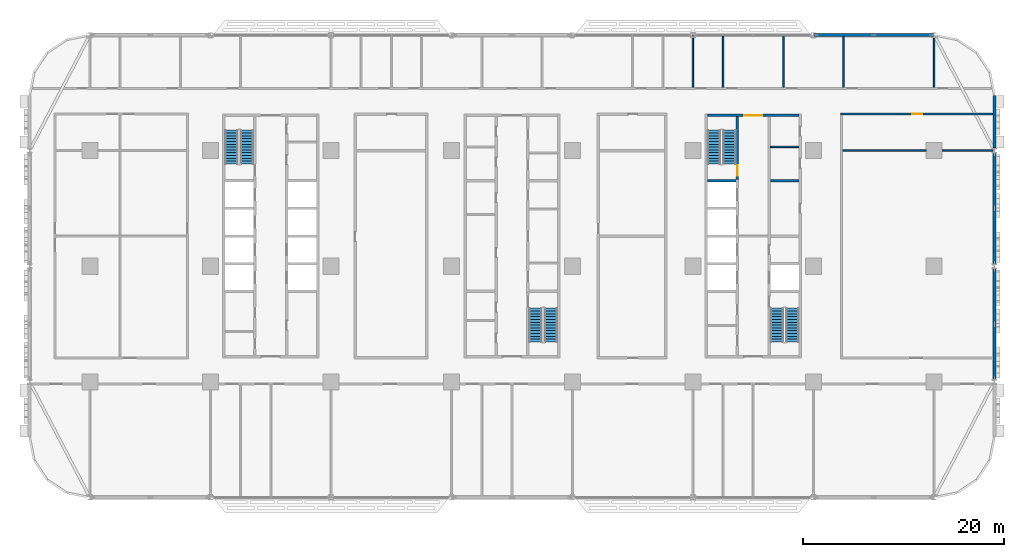
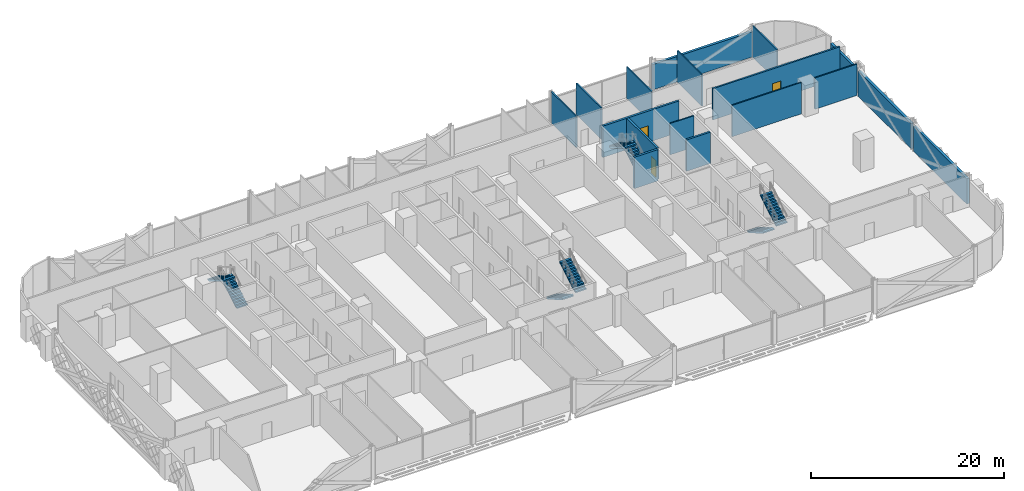
# One storey, part 15 of 27: 17 walls, 8 stair flights, 3 doors, 3 openings, 4 elements without a shape of their own.
"""IFC4 building model written with IfcOpenShell, lengths in metres."""

from ifc_helpers import new_model, si_unit, direction, frame, frame_2d, origin, place, context, subcontext, project, spatial, polyline, rectangle, outline, extrude, material, layer, layer_set, type_object, element, fill, aggregate, save


model = new_model("IFC4")

# Units and contexts
model_context = context("Model", 3, precision=1e-05, world=origin(), true_north=direction((0.0, 1.0)))
body_context = subcontext(model_context, "Body", "Model", "MODEL_VIEW")
ifc_project = project(units=[si_unit("LENGTHUNIT", "METRE"), si_unit("AREAUNIT", "SQUARE_METRE"), si_unit("VOLUMEUNIT", "CUBIC_METRE"), si_unit("PLANEANGLEUNIT", "RADIAN"), si_unit("MASSUNIT", "GRAM", prefix="KILO")], contexts=[model_context])

# Site, building, storey
site_placement = place(None, origin())
site = spatial("IfcSite", under=ifc_project, at=site_placement, CompositionType="ELEMENT")
building_placement = place(site_placement, origin())
building = spatial("IfcBuilding", under=site, at=building_placement, Name="Mahtab Terrace Research Tower", CompositionType="ELEMENT")
storey_placement = place(building_placement, frame((0.0, 0.0, 28.699951171875)))
storey = spatial("IfcBuildingStorey", under=building, at=storey_placement, Name="L06", CompositionType="ELEMENT", Elevation=28.699951171875)

# Wall
ifc_material_1 = material(Name="Gypsum board partition")
ifc_layer_1 = layer(ifc_material_1, 0.14990234375)
ifc_layer_set_1 = layer_set([ifc_layer_1], Name="Core partition 150")
wall_type_1 = type_object("IfcWallType", Name="Core partition 150", PredefinedType="PARTITIONING", material=ifc_layer_set_1)
wall_1_placement = place(storey_placement, frame((25.699951171875, 11.875, 0.0), z_axis=(0.0, 0.0, 1.0), x_axis=(1.0, 0.0, 0.0)))
element("IfcWall", 1, at=wall_1_placement, inside=storey, type_object=wall_type_1, Name="Core wall C pEN888", PredefinedType="PARTITIONING", context=body_context, shape_type="SweptSolid", body=[
    extrude(rectangle(XDim=2.85009765625, YDim=0.14990234375, at=frame_2d((1.425048828125, 0.0))), origin(), (0.0, 0.0, 1.0), 3.9599609375),
])

# Wall, opening, door
ifc_material_2 = material(Name="Concrete C70/85", Category="concrete")
ifc_layer_2 = layer(ifc_material_2, 0.25)
ifc_layer_set_2 = layer_set([ifc_layer_2], Name="Core wall 250")
wall_type_2 = type_object("IfcWallType", Name="Core wall 250", PredefinedType="SOLIDWALL", material=ifc_layer_set_2)
wall_2_placement = place(storey_placement, frame((19.449951171875, 15.0, 0.0), z_axis=(0.0, 0.0, 1.0), x_axis=(1.0, 0.0, 0.0)))
wall_2 = element("IfcWall", 2, at=wall_2_placement, inside=storey, type_object=wall_type_2, Name="Core wall C endN", PredefinedType="SOLIDWALL", context=body_context, shape_type="SweptSolid", body=[
    extrude(rectangle(XDim=9.10009765625, YDim=0.25, at=frame_2d((4.550048828125, 0.0))), origin(), (0.0, 0.0, 1.0), 3.9599609375),
])
opening_1_placement = place(wall_2_placement, frame((3.64990234375, 0.0, 0.0)))
opening_1 = element("IfcOpeningElement", 3, at=opening_1_placement, cuts=wall_2, Name="Opening C-N1", PredefinedType="OPENING", context=body_context, shape_type="SweptSolid", body=[
    extrude(rectangle(XDim=1.800048828125, YDim=2.10009765625, at=frame_2d((0.89990234375, 1.050048828125))), frame((0.0, 0.135009765625, 0.0), z_axis=(0.0, -1.0, 0.0), x_axis=(1.0, 0.0, 0.0)), (0.0, 0.0, 1.0), 0.27001953125),
])
ifc_material_3 = material(Name="Steel fire door", Category="steel")
door_type_1 = type_object("IfcDoorType", Name="Lobby double door 1800x2100 1 HR", OperationType="DOUBLE_DOOR_SINGLE_SWING", PredefinedType="DOOR", material=ifc_material_3)
door_1_placement = place(opening_1_placement, origin())
door_1 = element("IfcDoor", 4, at=door_1_placement, inside=storey, type_object=door_type_1, Name="Core entrance door C N", OperationType="DOUBLE_DOOR_SINGLE_SWING", OverallHeight=2.10009765625, OverallWidth=1.800048828125, PredefinedType="DOOR", context=body_context, shape_type="SweptSolid", body=[
    extrude(rectangle(XDim=1.800048828125, YDim=2.10009765625, at=frame_2d((0.89990234375, 1.050048828125))), frame((0.0, 0.02490234375, 0.0), z_axis=(0.0, -1.0, 0.0), x_axis=(1.0, 0.0, 0.0)), (0.0, 0.0, 1.0), 0.050048828125),
])
fill(opening_1, door_1)

wall_3_placement = place(storey_placement, frame((22.425048828125, 14.875, 0.0), z_axis=(0.0, 0.0, 1.0), x_axis=(0.0, -1.0, 0.0)))
wall_3 = element("IfcWall", 5, at=wall_3_placement, inside=storey, type_object=wall_type_2, Name="Core wall C innerWN", PredefinedType="SOLIDWALL", context=body_context, shape_type="SweptSolid", body=[
    extrude(rectangle(XDim=6.25, YDim=0.25, at=frame_2d((3.125, 0.0))), origin(), (0.0, 0.0, 1.0), 3.9599609375),
])
opening_2_placement = place(wall_3_placement, frame((4.85009765625, 0.0, 0.0)))
opening_2 = element("IfcOpeningElement", 6, at=opening_2_placement, cuts=wall_3, Name="Opening C-ST3", PredefinedType="OPENING", context=body_context, shape_type="SweptSolid", body=[
    extrude(rectangle(XDim=1.0, YDim=2.10009765625, at=frame_2d((0.5, 1.050048828125))), frame((0.0, 0.135009765625, 0.0), z_axis=(0.0, -1.0, 0.0), x_axis=(1.0, 0.0, 0.0)), (0.0, 0.0, 1.0), 0.27001953125),
])
door_type_2 = type_object("IfcDoorType", Name="Stair door 1000x2100 1.5 HR", OperationType="NOTDEFINED", PredefinedType="DOOR", material=ifc_material_3)
door_2_placement = place(opening_2_placement, origin())
door_2 = element("IfcDoor", 7, at=door_2_placement, inside=storey, type_object=door_type_2, Name="Stair door ST3 L06", OperationType="SINGLE_SWING_LEFT", OverallHeight=2.10009765625, OverallWidth=1.0, PredefinedType="DOOR", context=body_context, shape_type="SweptSolid", body=[
    extrude(rectangle(XDim=1.0, YDim=2.10009765625, at=frame_2d((0.5, 1.050048828125))), frame((0.0, 0.02490234375, 0.0), z_axis=(0.0, -1.0, 0.0), x_axis=(1.0, 0.0, 0.0)), (0.0, 0.0, 1.0), 0.050048828125),
])
fill(opening_2, door_2)

# Walls
for number, where, z_axis, x_axis, name in (
    (8, (19.449951171875, 8.5, 0.0), (0.0, 0.0, 1.0), (1.0, 0.0, 0.0), "Core wall C divW4"),
    (9, (25.699951171875, 8.5, 0.0), (0.0, 0.0, 1.0), (1.0, 0.0, 0.0), "Core wall C divE4"),
):
    element("IfcWall", number, at=place(storey_placement, frame(where, z_axis=z_axis, x_axis=x_axis)), inside=storey, type_object=wall_type_2, Name=name, PredefinedType="SOLIDWALL", context=body_context, shape_type="SweptSolid", body=[
        extrude(rectangle(XDim=2.85009765625, YDim=0.25, at=frame_2d((1.425048828125, 0.0))), origin(), (0.0, 0.0, 1.0), 3.9599609375),
    ])
ifc_material_4 = material(Name="Black aluminium cladding panel", Category="aluminium")
ifc_layer_3 = layer(ifc_material_4, 0.300048828125)
ifc_layer_set_3 = layer_set([ifc_layer_3], Name="Opaque facade wall 300")
wall_type_3 = type_object("IfcWallType", Name="Opaque facade wall 300", PredefinedType="NOTDEFINED", material=ifc_layer_set_3)
wall_4_placement = place(storey_placement, frame((41.97216796875, 23.0, 0.0), z_axis=(0.0, 0.0, 1.0), x_axis=(-1.0, 0.0, 0.0)))
element("IfcWall", 10, at=wall_4_placement, inside=storey, type_object=wall_type_3, Name="Opaque facade wall L06 N3", PredefinedType="NOTDEFINED", context=body_context, shape_type="SweptSolid", body=[
    extrude(rectangle(XDim=11.9443359375, YDim=0.300048828125, at=frame_2d((5.97216796875, 0.0))), origin(), (0.0, 0.0, 1.0), 3.203125),
])
for number, where, z_axis, x_axis, name in (
    (11, (48.0, -11.2509765625, 0.0), (0.0, 0.0, 1.0), (0.0, 1.0, 0.0), "Opaque facade wall L06 E34"),
    (12, (48.0, 0.2490234375, 0.0), (0.0, 0.0, 1.0), (0.0, 1.0, 0.0), "Opaque facade wall L06 E35"),
):
    element("IfcWall", number, at=place(storey_placement, frame(where, z_axis=z_axis, x_axis=x_axis)), inside=storey, type_object=wall_type_3, Name=name, PredefinedType="NOTDEFINED", context=body_context, shape_type="SweptSolid", body=[
        extrude(rectangle(XDim=11.001953125, YDim=0.300048828125, at=frame_2d((5.5009765625, 0.0))), origin(), (0.0, 0.0, 1.0), 3.203125),
    ])
wall_5_placement = place(storey_placement, frame((48.0, 11.7490234375, 0.0), z_axis=(0.0, 0.0, 1.0), x_axis=(0.0, 1.0, 0.0)))
element("IfcWall", 13, at=wall_5_placement, inside=storey, type_object=wall_type_3, Name="Opaque facade wall L06 E36", PredefinedType="NOTDEFINED", context=body_context, shape_type="SweptSolid", body=[
    extrude(rectangle(XDim=5.2509765625, YDim=0.300048828125, at=frame_2d((2.62548828125, 0.0))), origin(), (0.0, 0.0, 1.0), 3.203125),
])

# Wall, opening, door
ifc_material_5 = material(Name="Gypsum board corridor wall on steel studs", Category="steel")
ifc_layer_4 = layer(ifc_material_5, 0.199951171875)
ifc_layer_set_4 = layer_set([ifc_layer_4], Name="WALL CORRIDOR 200")
wall_type_4 = type_object("IfcWallType", Name="WALL CORRIDOR 200", PredefinedType="PARTITIONING", material=ifc_layer_set_4)
wall_6_placement = place(storey_placement, frame((32.699951171875, 15.125, 0.0), z_axis=(0.0, 0.0, 1.0), x_axis=(1.0, 0.0, 0.0)))
wall_6 = element("IfcWall", 14, at=wall_6_placement, inside=storey, type_object=wall_type_4, Name="L06-W025", PredefinedType="PARTITIONING", context=body_context, shape_type="SweptSolid", body=[
    extrude(rectangle(XDim=15.150146484375, YDim=0.199951171875, at=frame_2d((7.5751953125, 0.0))), origin(), (0.0, 0.0, 1.0), 3.9599609375),
])
opening_3_placement = place(wall_6_placement, frame((7.10009765625, 0.0, 0.0)))
opening_3 = element("IfcOpeningElement", 15, at=opening_3_placement, cuts=wall_6, Name="Opening L06-128", PredefinedType="OPENING", context=body_context, shape_type="SweptSolid", body=[
    extrude(rectangle(XDim=1.0, YDim=2.10009765625, at=frame_2d((0.5, 1.050048828125))), frame((0.0, 0.10986328125, 0.0), z_axis=(0.0, -1.0, 0.0), x_axis=(1.0, 0.0, 0.0)), (0.0, 0.0, 1.0), 0.219970703125),
])
ifc_material_6 = material(Name="Timber door leaf in steel frame", Category="steel")
door_type_3 = type_object("IfcDoorType", Name="DOOR 1000X2100 FD30S", OperationType="SINGLE_SWING_LEFT", PredefinedType="DOOR", material=ifc_material_6)
door_3_placement = place(opening_3_placement, origin())
door_3 = element("IfcDoor", 16, at=door_3_placement, inside=storey, type_object=door_type_3, Name="Door L06-128", OperationType="SINGLE_SWING_LEFT", OverallHeight=2.10009765625, OverallWidth=1.0, PredefinedType="DOOR", context=body_context, shape_type="SweptSolid", body=[
    extrude(rectangle(XDim=1.0, YDim=2.10009765625, at=frame_2d((0.5, 1.050048828125))), frame((0.0, 0.02490234375, 0.0), z_axis=(0.0, -1.0, 0.0), x_axis=(1.0, 0.0, 0.0)), (0.0, 0.0, 1.0), 0.050048828125),
])
fill(opening_3, door_3)

# Walls
ifc_material_7 = material(Name="Gypsum board partition on steel studs", Category="steel")
ifc_layer_5 = layer(ifc_material_7, 0.14990234375)
ifc_layer_set_5 = layer_set([ifc_layer_5], Name="WALL PARTITION 150")
wall_type_5 = type_object("IfcWallType", Name="WALL PARTITION 150", PredefinedType="PARTITIONING", material=ifc_layer_set_5)
wall_7_placement = place(storey_placement, frame((32.89990234375, 11.5, 0.0), z_axis=(0.0, 0.0, 1.0), x_axis=(1.0, 0.0, 0.0)))
element("IfcWall", 17, at=wall_7_placement, inside=storey, type_object=wall_type_5, Name="L06-W020", PredefinedType="PARTITIONING", context=body_context, shape_type="SweptSolid", body=[
    extrude(rectangle(XDim=8.300048828125, YDim=0.14990234375, at=frame_2d((4.14990234375, 0.0))), origin(), (0.0, 0.0, 1.0), 3.9599609375),
])
wall_8_placement = place(storey_placement, frame((42.800048828125, 11.5, 0.0), z_axis=(0.0, 0.0, 1.0), x_axis=(1.0, 0.0, 0.0)))
element("IfcWall", 18, at=wall_8_placement, inside=storey, type_object=wall_type_5, Name="L06-W021", PredefinedType="PARTITIONING", context=body_context, shape_type="SweptSolid", body=[
    extrude(rectangle(XDim=5.050048828125, YDim=0.14990234375, at=frame_2d((2.52490234375, 0.0))), origin(), (0.0, 0.0, 1.0), 3.9599609375),
])
for number, where, z_axis, x_axis, name in (
    (19, (18.0, 17.800048828125, 0.0), (0.0, 0.0, 1.0), (0.0, 1.0, 0.0), "L06-W056"),
    (20, (21.0, 17.800048828125, 0.0), (0.0, 0.0, 1.0), (0.0, 1.0, 0.0), "L06-W058"),
    (21, (27.0, 17.800048828125, 0.0), (0.0, 0.0, 1.0), (0.0, 1.0, 0.0), "L06-W060"),
):
    element("IfcWall", number, at=place(storey_placement, frame(where, z_axis=z_axis, x_axis=x_axis)), inside=storey, type_object=wall_type_5, Name=name, PredefinedType="PARTITIONING", context=body_context, shape_type="SweptSolid", body=[
        extrude(rectangle(XDim=5.175048828125, YDim=0.14990234375, at=frame_2d((2.58740234375, 0.0))), origin(), (0.0, 0.0, 1.0), 3.9599609375),
    ])
wall_9_placement = place(storey_placement, frame((33.0, 17.800048828125, 0.0), z_axis=(0.0, 0.0, 1.0), x_axis=(0.0, 1.0, 0.0)))
element("IfcWall", 22, at=wall_9_placement, inside=storey, type_object=wall_type_5, Name="L06-W063", PredefinedType="PARTITIONING", context=body_context, shape_type="SweptSolid", body=[
    extrude(rectangle(XDim=5.050048828125, YDim=0.14990234375, at=frame_2d((2.52490234375, 0.0))), origin(), (0.0, 0.0, 1.0), 3.9599609375),
])
wall_10_placement = place(storey_placement, frame((42.0, 17.800048828125, 0.0), z_axis=(0.0, 0.0, 1.0), x_axis=(0.0, 1.0, 0.0)))
element("IfcWall", 23, at=wall_10_placement, inside=storey, type_object=wall_type_5, Name="L06-W065", PredefinedType="PARTITIONING", context=body_context, shape_type="SweptSolid", body=[
    extrude(rectangle(XDim=5.047119140625, YDim=0.14990234375, at=frame_2d((2.5234375, 0.0))), origin(), (0.0, 0.0, 1.0), 3.9599609375),
])

# Stair, stair flights
ifc_material_8 = material(Name="Exit stair half-turn")
stair_type = type_object("IfcStairType", Name="Exit stair half-turn", PredefinedType="HALF_TURN_STAIR", material=ifc_material_8)
stair_1_placement = place(storey_placement, origin())
stair_1 = element("IfcStair", 24, at=stair_1_placement, inside=storey, type_object=stair_type, Name="L06 Protected exit stair ST1", PredefinedType="HALF_TURN_STAIR")
ifc_material_9 = material(Name="Concrete C40/50", Category="concrete")
stair_flight_type = type_object("IfcStairFlightType", Name="Exit stair flight 1300", PredefinedType="STRAIGHT", material=ifc_material_9)
stair_flight_1_placement = place(storey_placement, frame((-26.35009765625, 10.175048828125, 0.0), z_axis=(0.0, 0.0, 1.0), x_axis=(0.0, 1.0, 0.0)))
stair_flight_1 = element("IfcStairFlight", 25, at=stair_flight_1_placement, type_object=stair_flight_type, Name="ST1 flight 1", NumberOfRisers=13, NumberOfTreads=12, PredefinedType="STRAIGHT", RiserHeight=0.165384615, TreadLength=0.28, context=body_context, shape_type="SweptSolid", body=[
    extrude(outline(polyline([(0.0, 0.0), (0.0, 0.165283203125), (0.280029296875, 0.165283203125), (0.280029296875, 0.330810546875), (0.56005859375, 0.330810546875), (0.56005859375, 0.49609375), (0.840087890625, 0.49609375), (0.840087890625, 0.66162109375), (1.1201171875, 0.66162109375), (1.1201171875, 0.826904296875), (1.39990234375, 0.826904296875), (1.39990234375, 0.9921875), (1.679931640625, 0.9921875), (1.679931640625, 1.15771484375), (1.9599609375, 1.15771484375), (1.9599609375, 1.322998046875), (2.239990234375, 1.322998046875), (2.239990234375, 1.488525390625), (2.52001953125, 1.488525390625), (2.52001953125, 1.65380859375), (2.800048828125, 1.65380859375), (2.800048828125, 1.8193359375), (3.080078125, 1.8193359375), (3.080078125, 1.984619140625), (3.360107421875, 1.984619140625), (3.360107421875, 2.14990234375), (3.360107421875, 1.810546875), (0.294677734375, 0.0), (0.0, 0.0)])), frame((0.0, 0.64990234375, 0.0), z_axis=(0.0, -1.0, 0.0), x_axis=(1.0, 0.0, 0.0)), (0.0, 0.0, 1.0), 1.300048828125),
])
stair_flight_2_placement = place(storey_placement, frame((-27.89990234375, 13.534912109375, 2.150146484375), z_axis=(0.0, 0.0, 1.0), x_axis=(0.0, -1.0, 0.0)))
stair_flight_2 = element("IfcStairFlight", 26, at=stair_flight_2_placement, type_object=stair_flight_type, Name="ST1 flight 2", NumberOfRisers=13, NumberOfTreads=12, PredefinedType="STRAIGHT", RiserHeight=0.165384615, TreadLength=0.28, context=body_context, shape_type="SweptSolid", body=[
    extrude(outline(polyline([(0.0, 0.0), (0.0, 0.165283203125), (0.280029296875, 0.165283203125), (0.280029296875, 0.330810546875), (0.56005859375, 0.330810546875), (0.56005859375, 0.49609375), (0.840087890625, 0.49609375), (0.840087890625, 0.66162109375), (1.1201171875, 0.66162109375), (1.1201171875, 0.826904296875), (1.39990234375, 0.826904296875), (1.39990234375, 0.9921875), (1.679931640625, 0.9921875), (1.679931640625, 1.15771484375), (1.9599609375, 1.15771484375), (1.9599609375, 1.322998046875), (2.239990234375, 1.322998046875), (2.239990234375, 1.488525390625), (2.52001953125, 1.488525390625), (2.52001953125, 1.65380859375), (2.800048828125, 1.65380859375), (2.800048828125, 1.8193359375), (3.080078125, 1.8193359375), (3.080078125, 1.984619140625), (3.360107421875, 1.984619140625), (3.360107421875, 2.14990234375), (3.360107421875, 1.810546875), (0.294677734375, 0.0), (0.0, 0.0)])), frame((0.0, 0.64990234375, 0.0), z_axis=(0.0, -1.0, 0.0), x_axis=(1.0, 0.0, 0.0)), (0.0, 0.0, 1.0), 1.300048828125),
])
aggregate(stair_1, [stair_flight_1, stair_flight_2])

stair_2_placement = place(storey_placement, origin())
stair_2 = element("IfcStair", 27, at=stair_2_placement, inside=storey, type_object=stair_type, Name="L06 Protected exit stair ST2", PredefinedType="HALF_TURN_STAIR")
stair_flight_3_placement = place(storey_placement, frame((2.35009765625, -4.175048828125, 0.0), z_axis=(0.0, 0.0, 1.0), x_axis=(0.0, -1.0, 0.0)))
stair_flight_3 = element("IfcStairFlight", 28, at=stair_flight_3_placement, type_object=stair_flight_type, Name="ST2 flight 1", NumberOfRisers=13, NumberOfTreads=12, PredefinedType="STRAIGHT", RiserHeight=0.165384615, TreadLength=0.28, context=body_context, shape_type="SweptSolid", body=[
    extrude(outline(polyline([(0.0, 0.0), (0.0, 0.165283203125), (0.280029296875, 0.165283203125), (0.280029296875, 0.330810546875), (0.56005859375, 0.330810546875), (0.56005859375, 0.49609375), (0.840087890625, 0.49609375), (0.840087890625, 0.66162109375), (1.1201171875, 0.66162109375), (1.1201171875, 0.826904296875), (1.39990234375, 0.826904296875), (1.39990234375, 0.9921875), (1.679931640625, 0.9921875), (1.679931640625, 1.15771484375), (1.9599609375, 1.15771484375), (1.9599609375, 1.322998046875), (2.239990234375, 1.322998046875), (2.239990234375, 1.488525390625), (2.52001953125, 1.488525390625), (2.52001953125, 1.65380859375), (2.800048828125, 1.65380859375), (2.800048828125, 1.8193359375), (3.080078125, 1.8193359375), (3.080078125, 1.984619140625), (3.360107421875, 1.984619140625), (3.360107421875, 2.14990234375), (3.360107421875, 1.810546875), (0.294677734375, 0.0), (0.0, 0.0)])), frame((0.0, 0.64990234375, 0.0), z_axis=(0.0, -1.0, 0.0), x_axis=(1.0, 0.0, 0.0)), (0.0, 0.0, 1.0), 1.300048828125),
])
stair_flight_4_placement = place(storey_placement, frame((3.89990234375, -7.534912109375, 2.150146484375), z_axis=(0.0, 0.0, 1.0), x_axis=(0.0, 1.0, 0.0)))
stair_flight_4 = element("IfcStairFlight", 29, at=stair_flight_4_placement, type_object=stair_flight_type, Name="ST2 flight 2", NumberOfRisers=13, NumberOfTreads=12, PredefinedType="STRAIGHT", RiserHeight=0.165384615, TreadLength=0.28, context=body_context, shape_type="SweptSolid", body=[
    extrude(outline(polyline([(0.0, 0.0), (0.0, 0.165283203125), (0.280029296875, 0.165283203125), (0.280029296875, 0.330810546875), (0.56005859375, 0.330810546875), (0.56005859375, 0.49609375), (0.840087890625, 0.49609375), (0.840087890625, 0.66162109375), (1.1201171875, 0.66162109375), (1.1201171875, 0.826904296875), (1.39990234375, 0.826904296875), (1.39990234375, 0.9921875), (1.679931640625, 0.9921875), (1.679931640625, 1.15771484375), (1.9599609375, 1.15771484375), (1.9599609375, 1.322998046875), (2.239990234375, 1.322998046875), (2.239990234375, 1.488525390625), (2.52001953125, 1.488525390625), (2.52001953125, 1.65380859375), (2.800048828125, 1.65380859375), (2.800048828125, 1.8193359375), (3.080078125, 1.8193359375), (3.080078125, 1.984619140625), (3.360107421875, 1.984619140625), (3.360107421875, 2.14990234375), (3.360107421875, 1.810546875), (0.294677734375, 0.0), (0.0, 0.0)])), frame((0.0, 0.64990234375, 0.0), z_axis=(0.0, -1.0, 0.0), x_axis=(1.0, 0.0, 0.0)), (0.0, 0.0, 1.0), 1.300048828125),
])
aggregate(stair_2, [stair_flight_3, stair_flight_4])

stair_3_placement = place(storey_placement, origin())
stair_3 = element("IfcStair", 30, at=stair_3_placement, inside=storey, type_object=stair_type, Name="L06 Protected exit stair ST3", PredefinedType="HALF_TURN_STAIR")
stair_flight_5_placement = place(storey_placement, frame((21.64990234375, 10.175048828125, 0.0), z_axis=(0.0, 0.0, 1.0), x_axis=(0.0, 1.0, 0.0)))
stair_flight_5 = element("IfcStairFlight", 31, at=stair_flight_5_placement, type_object=stair_flight_type, Name="ST3 flight 1", NumberOfRisers=13, NumberOfTreads=12, PredefinedType="STRAIGHT", RiserHeight=0.165384615, TreadLength=0.28, context=body_context, shape_type="SweptSolid", body=[
    extrude(outline(polyline([(0.0, 0.0), (0.0, 0.165283203125), (0.280029296875, 0.165283203125), (0.280029296875, 0.330810546875), (0.56005859375, 0.330810546875), (0.56005859375, 0.49609375), (0.840087890625, 0.49609375), (0.840087890625, 0.66162109375), (1.1201171875, 0.66162109375), (1.1201171875, 0.826904296875), (1.39990234375, 0.826904296875), (1.39990234375, 0.9921875), (1.679931640625, 0.9921875), (1.679931640625, 1.15771484375), (1.9599609375, 1.15771484375), (1.9599609375, 1.322998046875), (2.239990234375, 1.322998046875), (2.239990234375, 1.488525390625), (2.52001953125, 1.488525390625), (2.52001953125, 1.65380859375), (2.800048828125, 1.65380859375), (2.800048828125, 1.8193359375), (3.080078125, 1.8193359375), (3.080078125, 1.984619140625), (3.360107421875, 1.984619140625), (3.360107421875, 2.14990234375), (3.360107421875, 1.810546875), (0.294677734375, 0.0), (0.0, 0.0)])), frame((0.0, 0.64990234375, 0.0), z_axis=(0.0, -1.0, 0.0), x_axis=(1.0, 0.0, 0.0)), (0.0, 0.0, 1.0), 1.300048828125),
])
stair_flight_6_placement = place(storey_placement, frame((20.10009765625, 13.534912109375, 2.150146484375), z_axis=(0.0, 0.0, 1.0), x_axis=(0.0, -1.0, 0.0)))
stair_flight_6 = element("IfcStairFlight", 32, at=stair_flight_6_placement, type_object=stair_flight_type, Name="ST3 flight 2", NumberOfRisers=13, NumberOfTreads=12, PredefinedType="STRAIGHT", RiserHeight=0.165384615, TreadLength=0.28, context=body_context, shape_type="SweptSolid", body=[
    extrude(outline(polyline([(0.0, 0.0), (0.0, 0.165283203125), (0.280029296875, 0.165283203125), (0.280029296875, 0.330810546875), (0.56005859375, 0.330810546875), (0.56005859375, 0.49609375), (0.840087890625, 0.49609375), (0.840087890625, 0.66162109375), (1.1201171875, 0.66162109375), (1.1201171875, 0.826904296875), (1.39990234375, 0.826904296875), (1.39990234375, 0.9921875), (1.679931640625, 0.9921875), (1.679931640625, 1.15771484375), (1.9599609375, 1.15771484375), (1.9599609375, 1.322998046875), (2.239990234375, 1.322998046875), (2.239990234375, 1.488525390625), (2.52001953125, 1.488525390625), (2.52001953125, 1.65380859375), (2.800048828125, 1.65380859375), (2.800048828125, 1.8193359375), (3.080078125, 1.8193359375), (3.080078125, 1.984619140625), (3.360107421875, 1.984619140625), (3.360107421875, 2.14990234375), (3.360107421875, 1.810546875), (0.294677734375, 0.0), (0.0, 0.0)])), frame((0.0, 0.64990234375, 0.0), z_axis=(0.0, -1.0, 0.0), x_axis=(1.0, 0.0, 0.0)), (0.0, 0.0, 1.0), 1.300048828125),
])
aggregate(stair_3, [stair_flight_5, stair_flight_6])

stair_4_placement = place(storey_placement, origin())
stair_4 = element("IfcStair", 33, at=stair_4_placement, inside=storey, type_object=stair_type, Name="L06 Protected exit stair ST4", PredefinedType="HALF_TURN_STAIR")
stair_flight_7_placement = place(storey_placement, frame((26.35009765625, -4.175048828125, 0.0), z_axis=(0.0, 0.0, 1.0), x_axis=(0.0, -1.0, 0.0)))
stair_flight_7 = element("IfcStairFlight", 34, at=stair_flight_7_placement, type_object=stair_flight_type, Name="ST4 flight 1", NumberOfRisers=13, NumberOfTreads=12, PredefinedType="STRAIGHT", RiserHeight=0.165384615, TreadLength=0.28, context=body_context, shape_type="SweptSolid", body=[
    extrude(outline(polyline([(0.0, 0.0), (0.0, 0.165283203125), (0.280029296875, 0.165283203125), (0.280029296875, 0.330810546875), (0.56005859375, 0.330810546875), (0.56005859375, 0.49609375), (0.840087890625, 0.49609375), (0.840087890625, 0.66162109375), (1.1201171875, 0.66162109375), (1.1201171875, 0.826904296875), (1.39990234375, 0.826904296875), (1.39990234375, 0.9921875), (1.679931640625, 0.9921875), (1.679931640625, 1.15771484375), (1.9599609375, 1.15771484375), (1.9599609375, 1.322998046875), (2.239990234375, 1.322998046875), (2.239990234375, 1.488525390625), (2.52001953125, 1.488525390625), (2.52001953125, 1.65380859375), (2.800048828125, 1.65380859375), (2.800048828125, 1.8193359375), (3.080078125, 1.8193359375), (3.080078125, 1.984619140625), (3.360107421875, 1.984619140625), (3.360107421875, 2.14990234375), (3.360107421875, 1.810546875), (0.294677734375, 0.0), (0.0, 0.0)])), frame((0.0, 0.64990234375, 0.0), z_axis=(0.0, -1.0, 0.0), x_axis=(1.0, 0.0, 0.0)), (0.0, 0.0, 1.0), 1.300048828125),
])
stair_flight_8_placement = place(storey_placement, frame((27.89990234375, -7.534912109375, 2.150146484375), z_axis=(0.0, 0.0, 1.0), x_axis=(0.0, 1.0, 0.0)))
stair_flight_8 = element("IfcStairFlight", 35, at=stair_flight_8_placement, type_object=stair_flight_type, Name="ST4 flight 2", NumberOfRisers=13, NumberOfTreads=12, PredefinedType="STRAIGHT", RiserHeight=0.165384615, TreadLength=0.28, context=body_context, shape_type="SweptSolid", body=[
    extrude(outline(polyline([(0.0, 0.0), (0.0, 0.165283203125), (0.280029296875, 0.165283203125), (0.280029296875, 0.330810546875), (0.56005859375, 0.330810546875), (0.56005859375, 0.49609375), (0.840087890625, 0.49609375), (0.840087890625, 0.66162109375), (1.1201171875, 0.66162109375), (1.1201171875, 0.826904296875), (1.39990234375, 0.826904296875), (1.39990234375, 0.9921875), (1.679931640625, 0.9921875), (1.679931640625, 1.15771484375), (1.9599609375, 1.15771484375), (1.9599609375, 1.322998046875), (2.239990234375, 1.322998046875), (2.239990234375, 1.488525390625), (2.52001953125, 1.488525390625), (2.52001953125, 1.65380859375), (2.800048828125, 1.65380859375), (2.800048828125, 1.8193359375), (3.080078125, 1.8193359375), (3.080078125, 1.984619140625), (3.360107421875, 1.984619140625), (3.360107421875, 2.14990234375), (3.360107421875, 1.810546875), (0.294677734375, 0.0), (0.0, 0.0)])), frame((0.0, 0.64990234375, 0.0), z_axis=(0.0, -1.0, 0.0), x_axis=(1.0, 0.0, 0.0)), (0.0, 0.0, 1.0), 1.300048828125),
])
aggregate(stair_4, [stair_flight_7, stair_flight_8])

save(model, "model.ifc")
